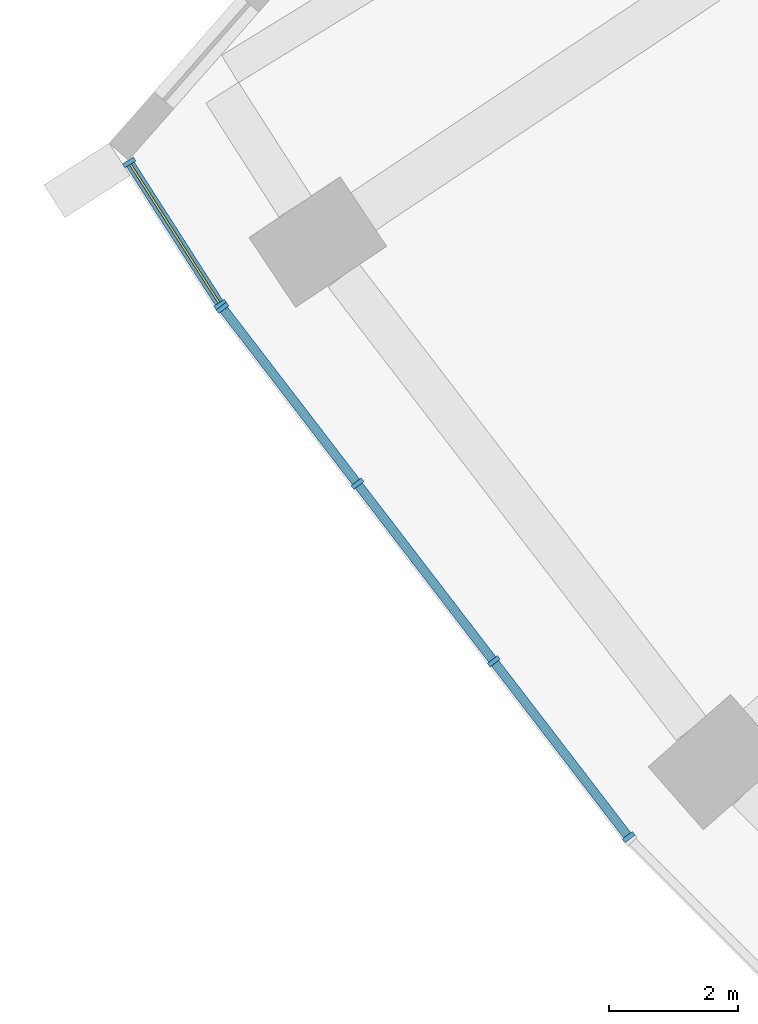
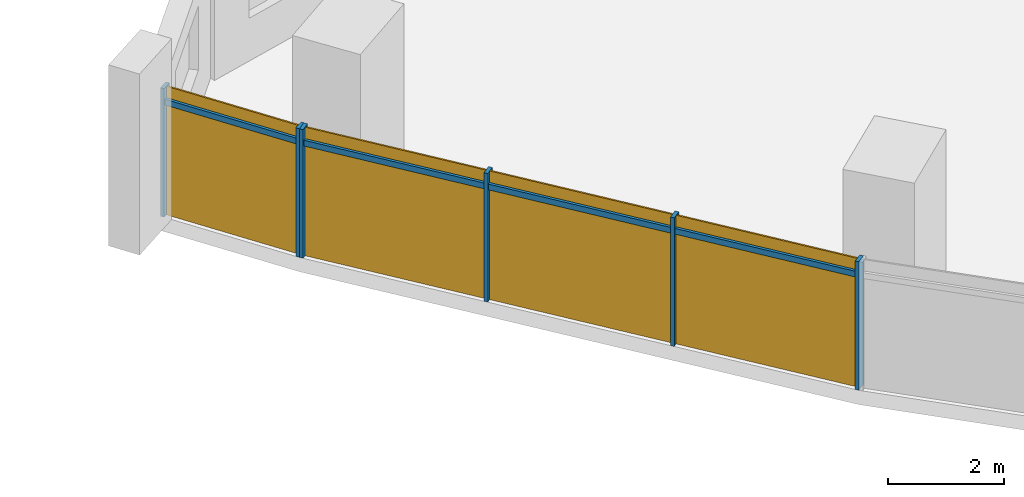
# One storey, part 22 of 32: 10 members, 2 curtain walls.
"""IFC4 building model written with IfcOpenShell, lengths in metres."""

from ifc_helpers import new_model, si_unit, direction, frame, origin, origin_2d, place, context, subcontext, project, spatial, rectangle, extrude, material, material_profile, profile_set, type_object, element, aggregate, save


model = new_model("IFC4")

# Units and contexts
model_context = context("Model", 3, precision=1e-05, world=origin(), true_north=direction((0.0, 1.0)))
body_context = subcontext(model_context, "Body", "Model", "MODEL_VIEW")
ifc_project = project(units=[si_unit("LENGTHUNIT", "METRE"), si_unit("AREAUNIT", "SQUARE_METRE"), si_unit("VOLUMEUNIT", "CUBIC_METRE"), si_unit("PLANEANGLEUNIT", "RADIAN"), si_unit("MASSUNIT", "GRAM", prefix="KILO")], contexts=[model_context])

# Member
ifc_material = material(Name="Aluminium 6063-T6 anodised", Category="aluminium")
ifc_material_profile_1 = material_profile(ifc_material, rectangle(XDim=0.199951171875, YDim=0.070068359375, at=origin_2d()))
ifc_profile_set_1 = profile_set([ifc_material_profile_1], Name="Aluminium 6063-T6 anodised")
member_type_1 = type_object("IfcMemberType", Name="Mullion 70 x 200 aluminium", PredefinedType="MULLION", material=ifc_profile_set_1)
site_placement = place(None, origin())
building_placement = place(site_placement, origin())
storey_placement = place(building_placement, frame((0.0, 0.0, 70.89990234375)))
member_1_placement = place(storey_placement, frame((-67.57373046875, -41.962890625, 0.0), z_axis=(0.0, 0.0, 1.0), x_axis=(0.842034175149, 0.539424181773, 0.0)))
member_1 = element("IfcMember", 1, at=member_1_placement, type_object=member_type_1, Name="e-cw1-L14-out00/M00", PredefinedType="MULLION", context=body_context, shape_type="SweptSolid", body=[
    extrude(rectangle(XDim=0.199951171875, YDim=0.070068359375, at=origin_2d()), origin(), (0.0, 0.0, 1.0), 2.7001953125),
])

member_2_placement = place(storey_placement, frame((-66.1611328125, -44.167724609375, 0.0), z_axis=(0.0, 0.0, 1.0), x_axis=(0.842034175149, 0.539424181773, 0.0)))
member_2 = element("IfcMember", 2, at=member_2_placement, type_object=member_type_1, Name="e-cw1-L14-out00/M01", PredefinedType="MULLION", context=body_context, shape_type="SweptSolid", body=[
    extrude(rectangle(XDim=0.199951171875, YDim=0.070068359375, at=origin_2d()), origin(), (0.0, 0.0, 1.0), 2.7001953125),
])

member_3_placement = place(storey_placement, frame((-66.1259765625, -44.218017578125, 0.0), z_axis=(0.0, 0.0, 1.0), x_axis=(0.793353340291, 0.608761429009, 0.0)))
member_3 = element("IfcMember", 3, at=member_3_placement, type_object=member_type_1, Name="e-cw1-L14-out01/M00", PredefinedType="MULLION", context=body_context, shape_type="SweptSolid", body=[
    extrude(rectangle(XDim=0.199951171875, YDim=0.070068359375, at=origin_2d()), origin(), (0.0, 0.0, 1.0), 2.7001953125),
])

member_4_placement = place(storey_placement, frame((-64.032958984375, -46.945556640625, 0.0), z_axis=(0.0, 0.0, 1.0), x_axis=(0.793353340291, 0.608761429009, 0.0)))
member_4 = element("IfcMember", 4, at=member_4_placement, type_object=member_type_1, Name="e-cw1-L14-out01/M01", PredefinedType="MULLION", context=body_context, shape_type="SweptSolid", body=[
    extrude(rectangle(XDim=0.199951171875, YDim=0.070068359375, at=origin_2d()), origin(), (0.0, 0.0, 1.0), 2.7001953125),
])

member_5_placement = place(storey_placement, frame((-61.9189453125, -49.70068359375, 0.0), z_axis=(0.0, 0.0, 1.0), x_axis=(0.793353340291, 0.608761429009, 0.0)))
member_5 = element("IfcMember", 5, at=member_5_placement, type_object=member_type_1, Name="e-cw1-L14-out01/M02", PredefinedType="MULLION", context=body_context, shape_type="SweptSolid", body=[
    extrude(rectangle(XDim=0.199951171875, YDim=0.070068359375, at=origin_2d()), origin(), (0.0, 0.0, 1.0), 2.7001953125),
])

member_6_placement = place(storey_placement, frame((-59.825927734375, -52.42822265625, 0.0), z_axis=(0.0, 0.0, 1.0), x_axis=(0.793353340291, 0.608761429009, 0.0)))
member_6 = element("IfcMember", 6, at=member_6_placement, type_object=member_type_1, Name="e-cw1-L14-out01/M03", PredefinedType="MULLION", context=body_context, shape_type="SweptSolid", body=[
    extrude(rectangle(XDim=0.199951171875, YDim=0.070068359375, at=origin_2d()), origin(), (0.0, 0.0, 1.0), 2.7001953125),
])

ifc_material_profile_2 = material_profile(ifc_material, rectangle(XDim=0.139892578125, YDim=0.1201171875, at=origin_2d()))
ifc_profile_set_2 = profile_set([ifc_material_profile_2], Name="Aluminium 6063-T6 anodised")
member_type_2 = type_object("IfcMemberType", Name="Transom 120 x 140 aluminium", PredefinedType="USERDEFINED", material=ifc_profile_set_2)
member_7_placement = place(storey_placement, frame((-67.554931640625, -41.9921875, 2.400146484375), z_axis=(0.539420623138, -0.842036454872, 0.0), x_axis=(0.842036454872, 0.539420623138, 0.0)))
member_7 = element("IfcMember", 7, at=member_7_placement, type_object=member_type_2, Name="e-cw1-L14-out00/T00", ObjectType="TRANSOM", PredefinedType="USERDEFINED", context=body_context, shape_type="SweptSolid", body=[
    extrude(rectangle(XDim=0.139892578125, YDim=0.1201171875, at=origin_2d()), origin(), (0.0, 0.0, 1.0), 2.548583984375),
])

member_8_placement = place(storey_placement, frame((-66.1044921875, -44.245849609375, 2.400146484375), z_axis=(0.608732839803, -0.793375276742, 0.0), x_axis=(0.793375276742, 0.608732839803, 0.0)))
member_8 = element("IfcMember", 8, at=member_8_placement, type_object=member_type_2, Name="e-cw1-L14-out01/T00", ObjectType="TRANSOM", PredefinedType="USERDEFINED", context=body_context, shape_type="SweptSolid", body=[
    extrude(rectangle(XDim=0.139892578125, YDim=0.1201171875, at=origin_2d()), origin(), (0.0, 0.0, 1.0), 3.36767578125),
])

member_9_placement = place(storey_placement, frame((-64.01171875, -46.973388671875, 2.400146484375), z_axis=(0.60875683052, -0.793356868815, 0.0), x_axis=(0.793356868815, 0.60875683052, 0.0)))
member_9 = element("IfcMember", 9, at=member_9_placement, type_object=member_type_2, Name="e-cw1-L14-out01/T01", ObjectType="TRANSOM", PredefinedType="USERDEFINED", context=body_context, shape_type="SweptSolid", body=[
    extrude(rectangle(XDim=0.139892578125, YDim=0.1201171875, at=origin_2d()), origin(), (0.0, 0.0, 1.0), 3.40283203125),
])

member_10_placement = place(storey_placement, frame((-61.8974609375, -49.728515625, 2.400146484375), z_axis=(0.608732839803, -0.793375276742, 0.0), x_axis=(0.793375276742, 0.608732839803, 0.0)))
member_10 = element("IfcMember", 10, at=member_10_placement, type_object=member_type_2, Name="e-cw1-L14-out01/T02", ObjectType="TRANSOM", PredefinedType="USERDEFINED", context=body_context, shape_type="SweptSolid", body=[
    extrude(rectangle(XDim=0.139892578125, YDim=0.1201171875, at=origin_2d()), origin(), (0.0, 0.0, 1.0), 3.36767578125),
])

# Site, building, storey
site = spatial("IfcSite", under=ifc_project, at=site_placement, CompositionType="ELEMENT")
building = spatial("IfcBuilding", under=site, at=building_placement, Name="Qamariyya Broadcast Tower", CompositionType="ELEMENT")
storey = spatial("IfcBuildingStorey", under=building, at=storey_placement, Name="L14", CompositionType="ELEMENT", Elevation=70.89990234375)

# Curtain wall
curtain_wall_type = type_object("IfcCurtainWallType", Name="Unitised curtain wall, anodised aluminium", PredefinedType="NOTDEFINED", material=ifc_material)
curtain_wall_1_placement = place(storey_placement, origin())
curtain_wall_1 = element("IfcCurtainWall", 11, at=curtain_wall_1_placement, inside=storey, type_object=curtain_wall_type, Name="e-cw1-L14-out00", PredefinedType="NOTDEFINED", context=body_context, shape_type="SweptSolid", body=[
    extrude(rectangle(XDim=2.548583984375, YDim=0.031982421875, at=origin_2d()), frame((-66.867431640625, -43.0654296875, 0.0), x_axis=(0.539393792329, -0.84205364247, 0.0)), (0.0, 0.0, 1.0), 2.340087890625),
    extrude(rectangle(XDim=2.548583984375, YDim=0.031982421875, at=origin_2d()), frame((-66.867431640625, -43.0654296875, 2.460205078125), x_axis=(0.539393792329, -0.84205364247, 0.0)), (0.0, 0.0, 1.0), 0.239990234375),
])

aggregate(curtain_wall_1, [member_1, member_2, member_7])

curtain_wall_2_placement = place(storey_placement, origin())
curtain_wall_2 = element("IfcCurtainWall", 12, at=curtain_wall_2_placement, inside=storey, type_object=curtain_wall_type, Name="e-cw1-L14-out01", PredefinedType="NOTDEFINED", context=body_context, shape_type="SweptSolid", body=[
    extrude(rectangle(XDim=3.367919921875, YDim=0.031982421875, at=origin_2d()), frame((-65.07958984375, -45.581787109375, 0.0), x_axis=(0.608755679475, -0.79335775203, 0.0)), (0.0, 0.0, 1.0), 2.340087890625),
    extrude(rectangle(XDim=3.367919921875, YDim=0.031982421875, at=origin_2d()), frame((-65.07958984375, -45.581787109375, 2.460205078125), x_axis=(0.608755679475, -0.79335775203, 0.0)), (0.0, 0.0, 1.0), 0.239990234375),
    extrude(rectangle(XDim=3.40283203125, YDim=0.031982421875, at=origin_2d()), frame((-62.97607421875, -48.3232421875, 0.0), x_axis=(0.608755679475, -0.79335775203, 0.0)), (0.0, 0.0, 1.0), 2.340087890625),
    extrude(rectangle(XDim=3.40283203125, YDim=0.031982421875, at=origin_2d()), frame((-62.97607421875, -48.3232421875, 2.460205078125), x_axis=(0.608755679475, -0.79335775203, 0.0)), (0.0, 0.0, 1.0), 0.239990234375),
    extrude(rectangle(XDim=3.367919921875, YDim=0.031982421875, at=origin_2d()), frame((-60.872314453125, -51.064453125, 0.0), x_axis=(0.608755679475, -0.79335775203, 0.0)), (0.0, 0.0, 1.0), 2.340087890625),
    extrude(rectangle(XDim=3.367919921875, YDim=0.031982421875, at=origin_2d()), frame((-60.872314453125, -51.064453125, 2.460205078125), x_axis=(0.608755679475, -0.79335775203, 0.0)), (0.0, 0.0, 1.0), 0.239990234375),
])

aggregate(curtain_wall_2, [member_3, member_4, member_5, member_6, member_8, member_9, member_10])

save(model, "model.ifc")
